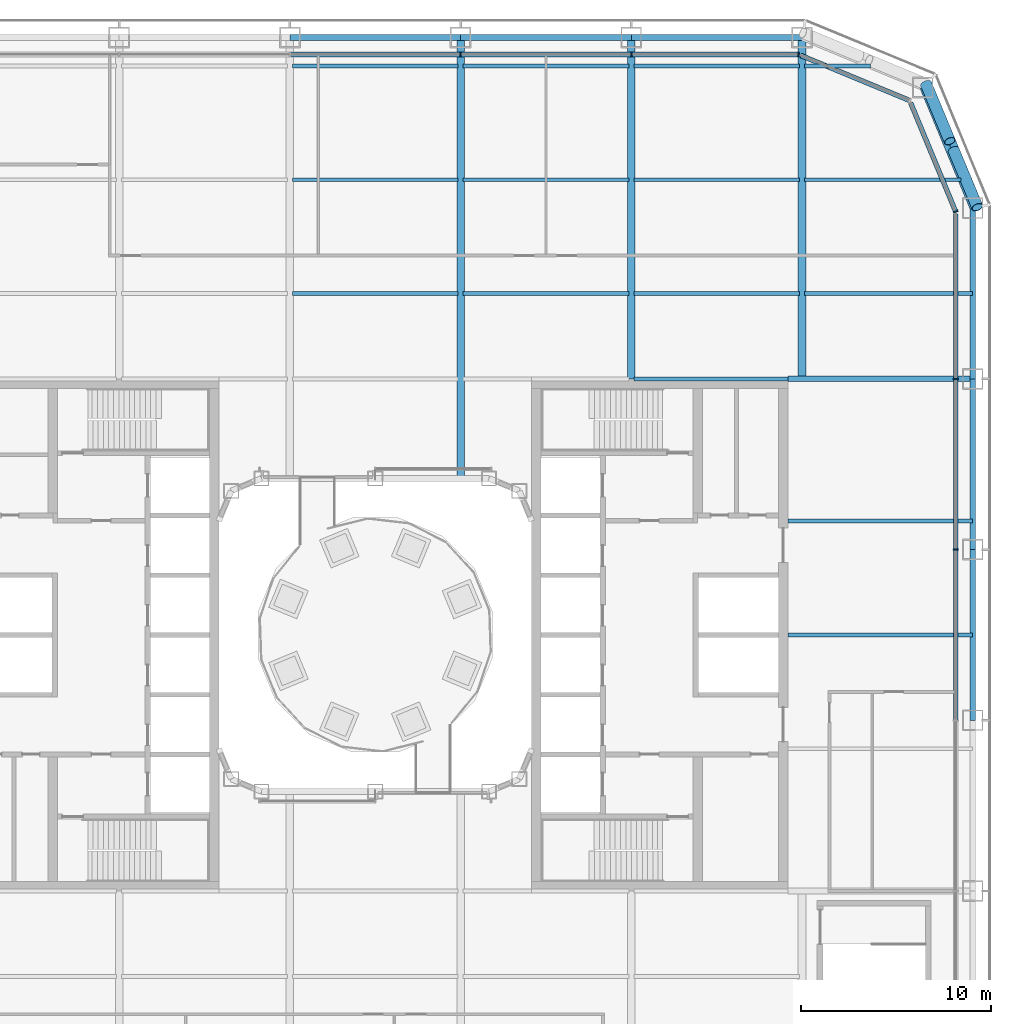
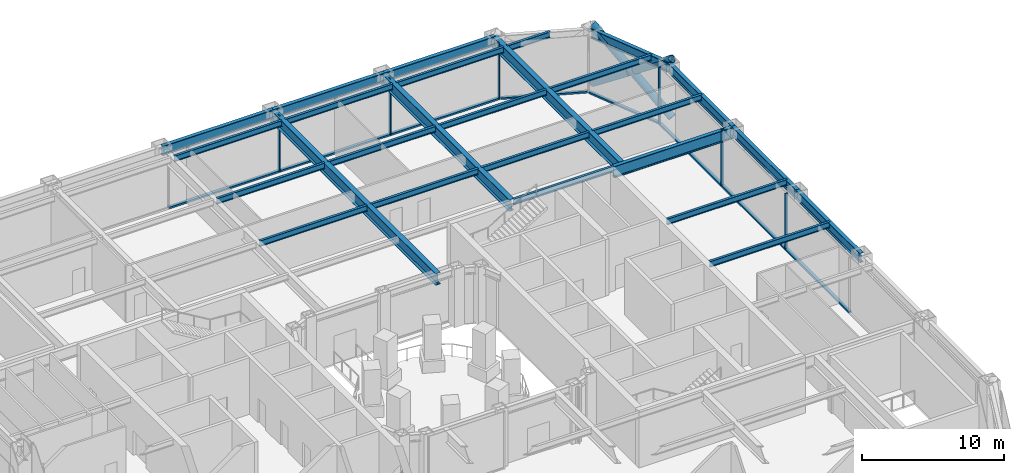
# One storey, part 9 of 25: 26 beams, 17 members, 4 elements without a shape of their own.
"""IFC4 building model written with IfcOpenShell, lengths in metres."""

from ifc_helpers import new_model, si_unit, direction, frame, origin, origin_2d, place, context, subcontext, project, spatial, rectangle, hollow_circle, i_section, extrude, material, layer, layer_set, material_profile, profile_set, type_object, element, aggregate, save


model = new_model("IFC4")

# Units and contexts
model_context = context("Model", 3, precision=1e-05, world=origin(), true_north=direction((0.0, 1.0)))
body_context = subcontext(model_context, "Body", "Model", "MODEL_VIEW")
ifc_project = project(units=[si_unit("LENGTHUNIT", "METRE"), si_unit("AREAUNIT", "SQUARE_METRE"), si_unit("VOLUMEUNIT", "CUBIC_METRE"), si_unit("PLANEANGLEUNIT", "RADIAN"), si_unit("MASSUNIT", "GRAM", prefix="KILO")], contexts=[model_context])

# Site, building, storey
site_placement = place(None, origin())
site = spatial("IfcSite", under=ifc_project, at=site_placement, CompositionType="ELEMENT")
building_placement = place(site_placement, origin())
building = spatial("IfcBuilding", under=site, at=building_placement, Name="Siwar Civic Tower", CompositionType="ELEMENT")
storey_placement = place(building_placement, frame((0.0, 0.0, 17.199951171875)))
storey = spatial("IfcBuildingStorey", under=building, at=storey_placement, Name="L03", CompositionType="ELEMENT", Elevation=17.199951171875)

# Curtain wall, members
ifc_material_1 = material(Name="Aluminium and glass", Category="aluminium")
ifc_layer_1 = layer(ifc_material_1, 0.25)
ifc_layer_set_1 = layer_set([ifc_layer_1], Name="Aluminium and glass")
curtain_wall_type_1 = type_object("IfcCurtainWallType", Name="ENV-CW-H", PredefinedType="NOTDEFINED", material=ifc_layer_set_1)
curtain_wall_1_placement = place(storey_placement, origin())
curtain_wall_1 = element("IfcCurtainWall", 1, at=curtain_wall_1_placement, inside=storey, type_object=curtain_wall_type_1, Name="Curtain wall H E", PredefinedType="NOTDEFINED")
ifc_material_2 = material(Name="Aluminium 6063-T6", Category="aluminium")
ifc_material_profile_1 = material_profile(ifc_material_2, rectangle(XDim=0.25, YDim=0.080078125, at=origin_2d()), Name="AL 250x80")
ifc_profile_set_1 = profile_set([ifc_material_profile_1], Name="Aluminium 6063-T6")
member_type_1 = type_object("IfcMemberType", Name="ENV-MULLION-H", PredefinedType="MULLION", material=ifc_profile_set_1)
member_1_placement = place(storey_placement, frame((30.60009765625, 4.5, 0.0), z_axis=(0.0, 0.0, 1.0), x_axis=(-1.0, 0.0, 0.0)))
member_1 = element("IfcMember", 2, at=member_1_placement, type_object=member_type_1, Name="Mullion H E 4", PredefinedType="MULLION", context=body_context, shape_type="SweptSolid", body=[
    extrude(rectangle(XDim=0.25, YDim=0.080078125, at=origin_2d()), origin(), (0.0, 0.0, 1.0), 4.85009765625),
])
member_2_placement = place(storey_placement, frame((30.60009765625, 13.5, 0.0), z_axis=(0.0, 0.0, 1.0), x_axis=(-1.0, 0.0, 0.0)))
member_2 = element("IfcMember", 3, at=member_2_placement, type_object=member_type_1, Name="Mullion H E 5", PredefinedType="MULLION", context=body_context, shape_type="SweptSolid", body=[
    extrude(rectangle(XDim=0.25, YDim=0.080078125, at=origin_2d()), origin(), (0.0, 0.0, 1.0), 4.85009765625),
])

# Curtain wall, member
ifc_material_3 = material(Name="Aluminium clad insulated panel", Category="aluminium")
ifc_layer_2 = layer(ifc_material_3, 0.25)
ifc_layer_set_2 = layer_set([ifc_layer_2], Name="Aluminium clad insulated panel")
curtain_wall_type_2 = type_object("IfcCurtainWallType", Name="ENV-CW-HX", PredefinedType="NOTDEFINED", material=ifc_layer_set_2)
curtain_wall_2_placement = place(storey_placement, origin())
curtain_wall_2 = element("IfcCurtainWall", 4, at=curtain_wall_2_placement, inside=storey, type_object=curtain_wall_type_2, Name="Curtain wall H NE1", PredefinedType="NOTDEFINED")
member_3_placement = place(storey_placement, frame((30.60009765625, 22.321044921875, 0.0), z_axis=(0.0, 0.0, 1.0), x_axis=(-0.923879532511, -0.382683432365, 0.0)))
member_3 = element("IfcMember", 5, at=member_3_placement, type_object=member_type_1, Name="Mullion H NE1 1", PredefinedType="MULLION", context=body_context, shape_type="SweptSolid", body=[
    extrude(rectangle(XDim=0.25, YDim=0.080078125, at=origin_2d()), origin(), (0.0, 0.0, 1.0), 4.85009765625),
])

# Curtain wall, members
curtain_wall_3_placement = place(storey_placement, origin())
curtain_wall_3 = element("IfcCurtainWall", 6, at=curtain_wall_3_placement, inside=storey, type_object=curtain_wall_type_1, Name="Curtain wall H N", PredefinedType="NOTDEFINED")
member_4_placement = place(storey_placement, frame((22.321044921875, 30.60009765625, 0.0), z_axis=(0.0, 0.0, 1.0), x_axis=(0.0, -1.0, 0.0)))
member_4 = element("IfcMember", 7, at=member_4_placement, type_object=member_type_1, Name="Mullion H N 1", PredefinedType="MULLION", context=body_context, shape_type="SweptSolid", body=[
    extrude(rectangle(XDim=0.25, YDim=0.080078125, at=origin_2d()), origin(), (0.0, 0.0, 1.0), 4.85009765625),
])
member_5_placement = place(storey_placement, frame((13.5, 30.60009765625, 0.0), z_axis=(0.0, 0.0, 1.0), x_axis=(0.0, -1.0, 0.0)))
member_5 = element("IfcMember", 8, at=member_5_placement, type_object=member_type_1, Name="Mullion H N 2", PredefinedType="MULLION", context=body_context, shape_type="SweptSolid", body=[
    extrude(rectangle(XDim=0.25, YDim=0.080078125, at=origin_2d()), origin(), (0.0, 0.0, 1.0), 4.85009765625),
])
member_6_placement = place(storey_placement, frame((4.5, 30.60009765625, 0.0), z_axis=(0.0, 0.0, 1.0), x_axis=(0.0, -1.0, 0.0)))
member_6 = element("IfcMember", 9, at=member_6_placement, type_object=member_type_1, Name="Mullion H N 3", PredefinedType="MULLION", context=body_context, shape_type="SweptSolid", body=[
    extrude(rectangle(XDim=0.25, YDim=0.080078125, at=origin_2d()), origin(), (0.0, 0.0, 1.0), 4.85009765625),
])

# Member
ifc_material_4 = material(Name="Aluminium 6063-T6", Category="aluminium")
ifc_material_profile_2 = material_profile(ifc_material_4, rectangle(XDim=0.25, YDim=0.139892578125, at=origin_2d()), Name="AL 250x140")
ifc_profile_set_2 = profile_set([ifc_material_profile_2], Name="Aluminium 6063-T6")
member_type_2 = type_object("IfcMemberType", Name="ENV-TRANSOM-H", PredefinedType="USERDEFINED", material=ifc_profile_set_2)
member_7_placement = place(storey_placement, frame((30.60009765625, -4.4599609375, 0.070068359375), z_axis=(0.0, 1.0, 0.0), x_axis=(-1.0, 0.0, 0.0)))
member_7 = element("IfcMember", 10, at=member_7_placement, type_object=member_type_2, Name="Transom H E 3", ObjectType="TRANSOM", PredefinedType="USERDEFINED", context=body_context, shape_type="SweptSolid", body=[
    extrude(rectangle(XDim=0.25, YDim=0.139892578125, at=origin_2d()), origin(), (0.0, 0.0, 1.0), 8.919921875),
])

member_8_placement = place(storey_placement, frame((30.60009765625, 4.5400390625, 0.070068359375), z_axis=(0.0, 1.0, 0.0), x_axis=(-1.0, 0.0, 0.0)))
member_8 = element("IfcMember", 11, at=member_8_placement, type_object=member_type_2, Name="Transom H E 4", ObjectType="TRANSOM", PredefinedType="USERDEFINED", context=body_context, shape_type="SweptSolid", body=[
    extrude(rectangle(XDim=0.25, YDim=0.139892578125, at=origin_2d()), origin(), (0.0, 0.0, 1.0), 8.919921875),
])

member_9_placement = place(storey_placement, frame((30.60009765625, 13.5400390625, 0.070068359375), z_axis=(0.0, 1.0, 0.0), x_axis=(-1.0, 0.0, 0.0)))
member_9 = element("IfcMember", 12, at=member_9_placement, type_object=member_type_2, Name="Transom H E 5", ObjectType="TRANSOM", PredefinedType="USERDEFINED", context=body_context, shape_type="SweptSolid", body=[
    extrude(rectangle(XDim=0.25, YDim=0.139892578125, at=origin_2d()), origin(), (0.0, 0.0, 1.0), 8.644287109375),
])

aggregate(curtain_wall_1, [member_1, member_2, member_7, member_8, member_9])

member_10_placement = place(storey_placement, frame((30.584716796875, 22.35791015625, 0.070068359375), z_axis=(-0.382672669604, 0.92388399052, 0.0), x_axis=(-0.92388399052, -0.382672669604, 0.0)))
member_10 = element("IfcMember", 13, at=member_10_placement, type_object=member_type_2, Name="Transom H NE1 1", ObjectType="TRANSOM", PredefinedType="USERDEFINED", context=body_context, shape_type="SweptSolid", body=[
    extrude(rectangle(XDim=0.25, YDim=0.139892578125, at=origin_2d()), origin(), (0.0, 0.0, 1.0), 6.15966796875),
])

aggregate(curtain_wall_2, [member_3, member_10])

# Curtain wall, member
curtain_wall_4_placement = place(storey_placement, origin())
curtain_wall_4 = element("IfcCurtainWall", 14, at=curtain_wall_4_placement, inside=storey, type_object=curtain_wall_type_2, Name="Curtain wall H NE2", PredefinedType="NOTDEFINED")
member_11_placement = place(storey_placement, frame((28.13818359375, 28.1904296875, 0.070068359375), z_axis=(-0.92388399052, 0.382672669604, 0.0), x_axis=(-0.382672669604, -0.92388399052, 0.0)))
member_11 = element("IfcMember", 15, at=member_11_placement, type_object=member_type_2, Name="Transom H NE2 1", ObjectType="TRANSOM", PredefinedType="USERDEFINED", context=body_context, shape_type="SweptSolid", body=[
    extrude(rectangle(XDim=0.25, YDim=0.139892578125, at=origin_2d()), origin(), (0.0, 0.0, 1.0), 6.15966796875),
])
aggregate(curtain_wall_4, [member_11])

# Member
member_12_placement = place(storey_placement, frame((22.281005859375, 30.60009765625, 0.070068359375), z_axis=(-1.0, 0.0, 0.0), x_axis=(0.0, -1.0, 0.0)))
member_12 = element("IfcMember", 16, at=member_12_placement, type_object=member_type_2, Name="Transom H N 1", ObjectType="TRANSOM", PredefinedType="USERDEFINED", context=body_context, shape_type="SweptSolid", body=[
    extrude(rectangle(XDim=0.25, YDim=0.139892578125, at=origin_2d()), origin(), (0.0, 0.0, 1.0), 8.740966796875),
])

member_13_placement = place(storey_placement, frame((13.4599609375, 30.60009765625, 0.070068359375), z_axis=(-1.0, 0.0, 0.0), x_axis=(0.0, -1.0, 0.0)))
member_13 = element("IfcMember", 17, at=member_13_placement, type_object=member_type_2, Name="Transom H N 2", ObjectType="TRANSOM", PredefinedType="USERDEFINED", context=body_context, shape_type="SweptSolid", body=[
    extrude(rectangle(XDim=0.25, YDim=0.139892578125, at=origin_2d()), origin(), (0.0, 0.0, 1.0), 8.919921875),
])

member_14_placement = place(storey_placement, frame((4.4599609375, 30.60009765625, 0.070068359375), z_axis=(-1.0, 0.0, 0.0), x_axis=(0.0, -1.0, 0.0)))
member_14 = element("IfcMember", 18, at=member_14_placement, type_object=member_type_2, Name="Transom H N 3", ObjectType="TRANSOM", PredefinedType="USERDEFINED", context=body_context, shape_type="SweptSolid", body=[
    extrude(rectangle(XDim=0.25, YDim=0.139892578125, at=origin_2d()), origin(), (0.0, 0.0, 1.0), 8.919921875),
])

aggregate(curtain_wall_3, [member_4, member_5, member_6, member_12, member_13, member_14])

# Members
ifc_material_5 = material(Name="Steel S355", Category="steel")
ifc_material_profile_3 = material_profile(ifc_material_5, hollow_circle(Radius=0.304931640625, WallThickness=0.030029296875, at=origin_2d()), Name="CHS610x30")
ifc_profile_set_3 = profile_set([ifc_material_profile_3], Name="Steel S355")
member_type_3 = type_object("IfcMemberType", Name="STR-BR-CHS610x30", PredefinedType="BRACE", material=ifc_profile_set_3)
member_15_placement = place(storey_placement, frame((31.7451171875, 22.548828125, 0.0), z_axis=(-0.313403721941, 0.752344350468, 0.579444635312), x_axis=(-0.923108759191, -0.384538969033, 0.0)))
element("IfcMember", 19, at=member_15_placement, inside=storey, type_object=member_type_3, Name="L03/brc/ANE1-2-0-0", PredefinedType="BRACE", context=body_context, shape_type="SweptSolid", body=[
    extrude(hollow_circle(Radius=0.304931640625, WallThickness=0.030029296875, at=origin_2d()), origin(), (0.0, 0.0, 1.0), 8.62890625),
])
for number, where, z_axis, x_axis, name in (
    (20, (29.040771484375, 29.040771484375, 0.0), (0.313373422739, -0.752340560323, 0.5794659431), (0.923121267833, 0.384508939914, 0.0), "L03/brc/ANE1-2-0-4"),
    (21, (30.49267578125, 25.5556640625, 2.684326171875), (0.313384515382, -0.752367191316, 0.57942536616), (0.923121267833, 0.384508939914, 0.0), "L03/brc/ANE1-2-0-5"),
):
    element("IfcMember", number, at=place(storey_placement, frame(where, z_axis=z_axis, x_axis=x_axis)), inside=storey, type_object=member_type_3, Name=name, PredefinedType="BRACE", context=body_context, shape_type="SweptSolid", body=[
        extrude(hollow_circle(Radius=0.304931640625, WallThickness=0.030029296875, at=origin_2d()), origin(), (0.0, 0.0, 1.0), 3.99658203125),
    ])

# Beams
ifc_material_6 = material(Name="Steel S355", Category="steel")
ifc_material_profile_4 = material_profile(ifc_material_6, i_section(OverallWidth=0.199951171875, OverallDepth=0.5, WebThickness=0.01025390625, FlangeThickness=0.01611328125, FilletRadius=0.02099609375, at=origin_2d()), Name="IPE500")
ifc_profile_set_4 = profile_set([ifc_material_profile_4], Name="Steel S355")
beam_type_1 = type_object("IfcBeamType", Name="STR-FB-IPE500", PredefinedType="JOIST", material=ifc_profile_set_4)
for number, where, z_axis, x_axis, name in (
    (22, (21.75, 0.0, 4.60009765625), (1.0, 0.0, 0.0), (0.0, 1.0, 0.0), "L03/bm/F032"),
    (23, (21.75, 6.0, 4.60009765625), (1.0, 0.0, 0.0), (0.0, 1.0, 0.0), "L03/bm/F034"),
):
    element("IfcBeam", number, at=place(storey_placement, frame(where, z_axis=z_axis, x_axis=x_axis)), inside=storey, type_object=beam_type_1, Name=name, PredefinedType="JOIST", context=body_context, shape_type="SweptSolid", body=[
        extrude(i_section(OverallWidth=0.199951171875, OverallDepth=0.5, WebThickness=0.01025390625, FlangeThickness=0.01611328125, FilletRadius=0.02099609375, at=origin_2d()), origin(), (0.0, 0.0, 1.0), 9.75),
    ])
beam_1_placement = place(storey_placement, frame((13.6298828125, 13.5, 4.60009765625), z_axis=(1.0, 0.0, 0.0), x_axis=(0.0, 1.0, 0.0)))
element("IfcBeam", 24, at=beam_1_placement, inside=storey, type_object=beam_type_1, Name="L03/bm/F042", PredefinedType="JOIST", context=body_context, shape_type="SweptSolid", body=[
    extrude(i_section(OverallWidth=0.199951171875, OverallDepth=0.5, WebThickness=0.01025390625, FlangeThickness=0.01611328125, FilletRadius=0.02099609375, at=origin_2d()), origin(), (0.0, 0.0, 1.0), 8.1201171875),
])
for number, where, z_axis, x_axis, name in (
    (25, (-4.3701171875, 18.0, 4.60009765625), (1.0, 0.0, 0.0), (0.0, 1.0, 0.0), "L03/bm/F046"),
    (26, (4.6298828125, 18.0, 4.60009765625), (1.0, 0.0, 0.0), (0.0, 1.0, 0.0), "L03/bm/F047"),
    (27, (13.6298828125, 18.0, 4.60009765625), (1.0, 0.0, 0.0), (0.0, 1.0, 0.0), "L03/bm/F048"),
):
    element("IfcBeam", number, at=place(storey_placement, frame(where, z_axis=z_axis, x_axis=x_axis)), inside=storey, type_object=beam_type_1, Name=name, PredefinedType="JOIST", context=body_context, shape_type="SweptSolid", body=[
        extrude(i_section(OverallWidth=0.199951171875, OverallDepth=0.5, WebThickness=0.01025390625, FlangeThickness=0.01611328125, FilletRadius=0.02099609375, at=origin_2d()), origin(), (0.0, 0.0, 1.0), 8.740234375),
    ])
beam_2_placement = place(storey_placement, frame((22.6298828125, 18.0, 4.60009765625), z_axis=(1.0, 0.0, 0.0), x_axis=(0.0, 1.0, 0.0)))
element("IfcBeam", 28, at=beam_2_placement, inside=storey, type_object=beam_type_1, Name="L03/bm/F049", PredefinedType="JOIST", context=body_context, shape_type="SweptSolid", body=[
    extrude(i_section(OverallWidth=0.199951171875, OverallDepth=0.5, WebThickness=0.01025390625, FlangeThickness=0.01611328125, FilletRadius=0.02099609375, at=origin_2d()), origin(), (0.0, 0.0, 1.0), 8.8701171875),
])
for number, where, z_axis, x_axis, name in (
    (29, (-4.3701171875, 24.0, 4.60009765625), (1.0, 0.0, 0.0), (0.0, 1.0, 0.0), "L03/bm/F052"),
    (30, (4.6298828125, 24.0, 4.60009765625), (1.0, 0.0, 0.0), (0.0, 1.0, 0.0), "L03/bm/F053"),
    (31, (13.6298828125, 24.0, 4.60009765625), (1.0, 0.0, 0.0), (0.0, 1.0, 0.0), "L03/bm/F054"),
):
    element("IfcBeam", number, at=place(storey_placement, frame(where, z_axis=z_axis, x_axis=x_axis)), inside=storey, type_object=beam_type_1, Name=name, PredefinedType="JOIST", context=body_context, shape_type="SweptSolid", body=[
        extrude(i_section(OverallWidth=0.199951171875, OverallDepth=0.5, WebThickness=0.01025390625, FlangeThickness=0.01611328125, FilletRadius=0.02099609375, at=origin_2d()), origin(), (0.0, 0.0, 1.0), 8.740234375),
    ])
beam_3_placement = place(storey_placement, frame((22.6298828125, 24.0, 4.60009765625), z_axis=(1.0, 0.0, 0.0), x_axis=(0.0, 1.0, 0.0)))
element("IfcBeam", 32, at=beam_3_placement, inside=storey, type_object=beam_type_1, Name="L03/bm/F055", PredefinedType="JOIST", context=body_context, shape_type="SweptSolid", body=[
    extrude(i_section(OverallWidth=0.199951171875, OverallDepth=0.5, WebThickness=0.01025390625, FlangeThickness=0.01611328125, FilletRadius=0.02099609375, at=origin_2d()), origin(), (0.0, 0.0, 1.0), 8.248779296875),
])
for number, where, z_axis, x_axis, name in (
    (33, (-4.3701171875, 30.0, 4.60009765625), (1.0, 0.0, 0.0), (0.0, 1.0, 0.0), "L03/bm/F059"),
    (34, (4.6298828125, 30.0, 4.60009765625), (1.0, 0.0, 0.0), (0.0, 1.0, 0.0), "L03/bm/F060"),
    (35, (13.6298828125, 30.0, 4.60009765625), (1.0, 0.0, 0.0), (0.0, 1.0, 0.0), "L03/bm/F061"),
):
    element("IfcBeam", number, at=place(storey_placement, frame(where, z_axis=z_axis, x_axis=x_axis)), inside=storey, type_object=beam_type_1, Name=name, PredefinedType="JOIST", context=body_context, shape_type="SweptSolid", body=[
        extrude(i_section(OverallWidth=0.199951171875, OverallDepth=0.5, WebThickness=0.01025390625, FlangeThickness=0.01611328125, FilletRadius=0.02099609375, at=origin_2d()), origin(), (0.0, 0.0, 1.0), 8.740234375),
    ])
beam_4_placement = place(storey_placement, frame((22.6298828125, 30.0, 4.60009765625), z_axis=(1.0, 0.0, 0.0), x_axis=(0.0, 1.0, 0.0)))
element("IfcBeam", 36, at=beam_4_placement, inside=storey, type_object=beam_type_1, Name="L03/bm/F062", PredefinedType="JOIST", context=body_context, shape_type="SweptSolid", body=[
    extrude(i_section(OverallWidth=0.199951171875, OverallDepth=0.5, WebThickness=0.01025390625, FlangeThickness=0.01611328125, FilletRadius=0.02099609375, at=origin_2d()), origin(), (0.0, 0.0, 1.0), 3.491455078125),
])
ifc_material_7 = material(Name="Steel S355", Category="steel")
ifc_material_profile_5 = material_profile(ifc_material_7, i_section(OverallWidth=0.300048828125, OverallDepth=1.0, WebThickness=0.01904296875, FlangeThickness=0.035888671875, FilletRadius=0.030029296875, at=origin_2d()), Name="HEB1000")
ifc_profile_set_5 = profile_set([ifc_material_profile_5], Name="Steel S355")
beam_type_2 = type_object("IfcBeamType", Name="STR-PG-HEB1000", PredefinedType="BEAM", material=ifc_profile_set_5)
beam_5_placement = place(storey_placement, frame((21.75, 13.5, 4.35009765625), z_axis=(1.0, 0.0, 0.0), x_axis=(0.0, 1.0, 0.0)))
element("IfcBeam", 37, at=beam_5_placement, inside=storey, type_object=beam_type_2, Name="L03/bm/F043", PredefinedType="BEAM", context=body_context, shape_type="SweptSolid", body=[
    extrude(i_section(OverallWidth=0.300048828125, OverallDepth=1.0, WebThickness=0.01904296875, FlangeThickness=0.035888671875, FilletRadius=0.030029296875, at=origin_2d()), origin(), (0.0, 0.0, 1.0), 9.75),
])
ifc_material_8 = material(Name="Steel S355", Category="steel")
ifc_material_profile_6 = material_profile(ifc_material_8, i_section(OverallWidth=0.39990234375, OverallDepth=1.0, WebThickness=0.01611328125, FlangeThickness=0.0400390625, at=origin_2d()), Name="PG1000x400x16x40")
ifc_profile_set_6 = profile_set([ifc_material_profile_6], Name="Steel S355")
beam_type_3 = type_object("IfcBeamType", Name="STR-PG-PG1000x400x16x40", PredefinedType="BEAM", material=ifc_profile_set_6)
beam_6_placement = place(storey_placement, frame((4.5, 8.25, 4.35009765625), z_axis=(0.0, 1.0, 0.0), x_axis=(-1.0, 0.0, 0.0)))
element("IfcBeam", 38, at=beam_6_placement, inside=storey, type_object=beam_type_3, Name="L03/bm/G08", PredefinedType="BEAM", context=body_context, shape_type="SweptSolid", body=[
    extrude(i_section(OverallWidth=0.39990234375, OverallDepth=1.0, WebThickness=0.01611328125, FlangeThickness=0.0400390625, at=origin_2d()), origin(), (0.0, 0.0, 1.0), 23.25),
])
for number, where, z_axis, x_axis, name in (
    (39, (13.5, 13.5, 4.35009765625), (0.0, 1.0, 0.0), (-1.0, 0.0, 0.0), "L03/bm/G10"),
    (40, (22.5, 13.5, 4.35009765625), (0.0, 1.0, 0.0), (-1.0, 0.0, 0.0), "L03/bm/G12"),
):
    element("IfcBeam", number, at=place(storey_placement, frame(where, z_axis=z_axis, x_axis=x_axis)), inside=storey, type_object=beam_type_3, Name=name, PredefinedType="BEAM", context=body_context, shape_type="SweptSolid", body=[
        extrude(i_section(OverallWidth=0.39990234375, OverallDepth=1.0, WebThickness=0.01611328125, FlangeThickness=0.0400390625, at=origin_2d()), origin(), (0.0, 0.0, 1.0), 18.0),
    ])
ifc_material_9 = material(Name="Steel S355", Category="steel")
ifc_material_profile_7 = material_profile(ifc_material_9, i_section(OverallWidth=0.302978515625, OverallDepth=0.81396484375, WebThickness=0.02099609375, FlangeThickness=0.0400390625, FilletRadius=0.030029296875, at=origin_2d()), Name="HEM800")
ifc_profile_set_7 = profile_set([ifc_material_profile_7], Name="Steel S355")
beam_type_4 = type_object("IfcBeamType", Name="STR-SB-HEM800", PredefinedType="BEAM", material=ifc_profile_set_7)
for number, where, z_axis, x_axis, name in (
    (41, (31.5, -4.5, 4.443115234375), (0.0, 1.0, 0.0), (-1.0, 0.0, 0.0), "L03/bm/SE-2"),
    (42, (31.5, 4.5, 4.443115234375), (0.0, 1.0, 0.0), (-1.0, 0.0, 0.0), "L03/bm/SE-3"),
    (43, (31.5, 13.5, 4.443115234375), (0.0, 1.0, 0.0), (-1.0, 0.0, 0.0), "L03/bm/SE-4"),
):
    element("IfcBeam", number, at=place(storey_placement, frame(where, z_axis=z_axis, x_axis=x_axis)), inside=storey, type_object=beam_type_4, Name=name, PredefinedType="BEAM", context=body_context, shape_type="SweptSolid", body=[
        extrude(i_section(OverallWidth=0.302978515625, OverallDepth=0.81396484375, WebThickness=0.02099609375, FlangeThickness=0.0400390625, FilletRadius=0.030029296875, at=origin_2d()), origin(), (0.0, 0.0, 1.0), 9.0),
    ])
beam_7_placement = place(storey_placement, frame((31.5, 22.5, 4.443115234375), z_axis=(-0.382674207535, 0.923883353507, 0.0), x_axis=(-0.923883353507, -0.382674207535, 0.0)))
element("IfcBeam", 44, at=beam_7_placement, inside=storey, type_object=beam_type_4, Name="L03/bm/SNE1-0", PredefinedType="BEAM", context=body_context, shape_type="SweptSolid", body=[
    extrude(i_section(OverallWidth=0.302978515625, OverallDepth=0.81396484375, WebThickness=0.02099609375, FlangeThickness=0.0400390625, FilletRadius=0.030029296875, at=origin_2d()), origin(), (0.0, 0.0, 1.0), 6.888427734375),
])
for number, where, z_axis, x_axis, name in (
    (45, (22.5, 31.5, 4.443115234375), (-1.0, 0.0, 0.0), (0.0, -1.0, 0.0), "L03/bm/SN-0"),
    (46, (13.5, 31.5, 4.443115234375), (-1.0, 0.0, 0.0), (0.0, -1.0, 0.0), "L03/bm/SN-1"),
    (47, (4.5, 31.5, 4.443115234375), (-1.0, 0.0, 0.0), (0.0, -1.0, 0.0), "L03/bm/SN-2"),
):
    element("IfcBeam", number, at=place(storey_placement, frame(where, z_axis=z_axis, x_axis=x_axis)), inside=storey, type_object=beam_type_4, Name=name, PredefinedType="BEAM", context=body_context, shape_type="SweptSolid", body=[
        extrude(i_section(OverallWidth=0.302978515625, OverallDepth=0.81396484375, WebThickness=0.02099609375, FlangeThickness=0.0400390625, FilletRadius=0.030029296875, at=origin_2d()), origin(), (0.0, 0.0, 1.0), 9.0),
    ])

save(model, "model.ifc")
